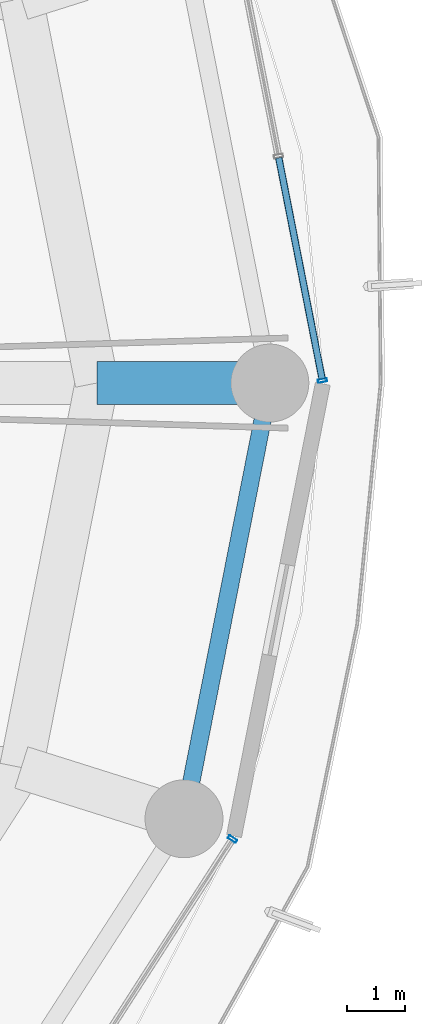
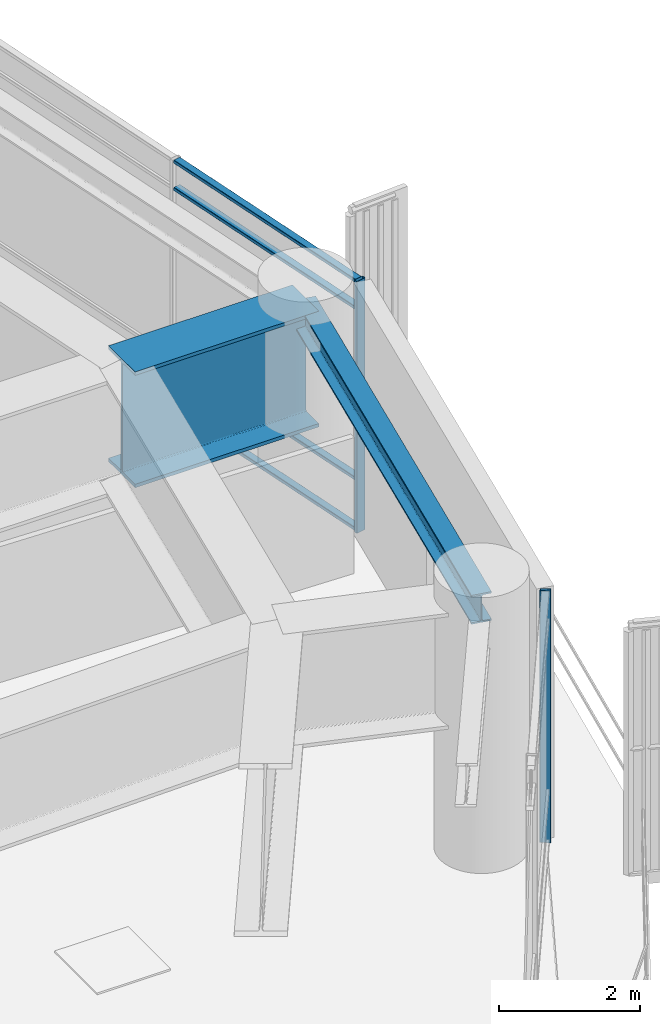
# One storey, part 14 of 34: 6 members, 2 beams, 2 elements without a shape of their own.
"""IFC4 building model written with IfcOpenShell, lengths in metres."""

from ifc_helpers import new_model, si_unit, direction, frame, origin, origin_2d, place, context, subcontext, project, spatial, hollow_rectangle, i_section, extrude, material, layer, layer_set, material_profile, profile_set, type_object, element, aggregate, save


model = new_model("IFC4")

# Units and contexts
model_context = context("Model", 3, precision=1e-05, world=origin(), true_north=direction((0.0, 1.0)))
body_context = subcontext(model_context, "Body", "Model", "MODEL_VIEW")
ifc_project = project(units=[si_unit("LENGTHUNIT", "METRE"), si_unit("AREAUNIT", "SQUARE_METRE"), si_unit("VOLUMEUNIT", "CUBIC_METRE"), si_unit("PLANEANGLEUNIT", "RADIAN"), si_unit("MASSUNIT", "GRAM", prefix="KILO")], contexts=[model_context])

# Site, building, storey
site_placement = place(None, origin())
site = spatial("IfcSite", under=ifc_project, at=site_placement, CompositionType="ELEMENT")
building_placement = place(site_placement, origin())
building = spatial("IfcBuilding", under=site, at=building_placement, Name="Kelanora Arch Commons", CompositionType="ELEMENT")
storey_placement = place(building_placement, frame((0.0, 0.0, 125.10009765625)))
storey = spatial("IfcBuildingStorey", under=building, at=storey_placement, Name="L32", CompositionType="ELEMENT", Elevation=125.10009765625)

# Beams
ifc_material_1 = material(Name="Steel S355", Category="steel")
ifc_material_profile_1 = material_profile(ifc_material_1, i_section(OverallWidth=0.300048828125, OverallDepth=0.5, WebThickness=0.014404296875, FlangeThickness=0.028076171875, FilletRadius=0.027099609375, at=origin_2d()), Name="HEB500")
ifc_profile_set_1 = profile_set([ifc_material_profile_1], Name="Steel S355")
beam_type_1 = type_object("IfcBeamType", Name="BM-SPN-Z2", PredefinedType="SPANDREL", material=ifc_profile_set_1)
beam_1_placement = place(storey_placement, frame((97.191650390625, 50.4482421875, 4.10986328125), z_axis=(0.19335825777, 0.981128220037, 0.0), x_axis=(-0.981128220037, 0.19335825777, 0.0)))
element("IfcBeam", 1, at=beam_1_placement, inside=storey, type_object=beam_type_1, Name="Perimeter Spandrel Beam BS-34 L32", PredefinedType="SPANDREL", context=body_context, shape_type="SweptSolid", body=[
    extrude(i_section(OverallWidth=0.300048828125, OverallDepth=0.5, WebThickness=0.014404296875, FlangeThickness=0.028076171875, FilletRadius=0.027099609375, at=origin_2d()), origin(), (0.0, 0.0, 1.0), 7.697021484375),
])
ifc_material_profile_2 = material_profile(ifc_material_1, i_section(OverallWidth=0.75, OverallDepth=2.0, WebThickness=0.034912109375, FlangeThickness=0.06005859375, FilletRadius=0.028076171875, at=origin_2d()), Name="PG2000x750")
ifc_profile_set_2 = profile_set([ifc_material_profile_2], Name="Steel S355")
beam_type_2 = type_object("IfcBeamType", Name="BM-XFER-SET", PredefinedType="USERDEFINED", material=ifc_profile_set_2)
beam_2_placement = place(storey_placement, frame((95.679931640625, 58.0, 3.35986328125), z_axis=(1.0, 0.0, 0.0), x_axis=(0.0, 1.0, 0.0)))
element("IfcBeam", 2, at=beam_2_placement, inside=storey, type_object=beam_type_2, Name="Radial Floor Girder BR-00 L32", ObjectType="TRANSFER_GIRDER", PredefinedType="USERDEFINED", context=body_context, shape_type="SweptSolid", body=[
    extrude(i_section(OverallWidth=0.75, OverallDepth=2.0, WebThickness=0.034912109375, FlangeThickness=0.06005859375, FilletRadius=0.028076171875, at=origin_2d()), origin(), (0.0, 0.0, 1.0), 3.0),
])

# Curtain wall, member
ifc_material_2 = material(Name="Terracotta ceramic-fritted low-E glass and aluminium", Category="masonry")
ifc_layer = layer(ifc_material_2, 0.159912109375)
ifc_layer_set = layer_set([ifc_layer], Name="Terracotta ceramic-fritted low-E glass and aluminium")
curtain_wall_type = type_object("IfcCurtainWallType", Name="CW-SYS-01", PredefinedType="NOTDEFINED", material=ifc_layer_set)
curtain_wall_1_placement = place(storey_placement, origin())
curtain_wall_1 = element("IfcCurtainWall", 3, at=curtain_wall_1_placement, inside=storey, type_object=curtain_wall_type, Name="Unitised Curtain Wall L32-B00", PredefinedType="NOTDEFINED")
ifc_material_3 = material(Name="Powder-coated aluminium terracotta", Category="masonry")
ifc_material_profile_3 = material_profile(ifc_material_3, hollow_rectangle(XDim=0.159912109375, YDim=0.06005859375, WallThickness=0.0048828125, InnerFilletRadius=0.0048828125, OuterFilletRadius=0.010009765625, at=origin_2d()), Name="CWM160x60")
ifc_profile_set_3 = profile_set([ifc_material_profile_3], Name="Powder-coated aluminium terracotta")
member_type_1 = type_object("IfcMemberType", Name="CWM-STD", PredefinedType="MULLION", material=ifc_profile_set_3)
member_1_placement = place(storey_placement, frame((99.59130859375, 58.044189453125, 0.0), z_axis=(0.0, 0.0, 1.0), x_axis=(-0.981280311646, -0.192584916272, 0.0)))
member_1 = element("IfcMember", 4, at=member_1_placement, type_object=member_type_1, Name="CW-01 mullion 1", PredefinedType="MULLION", context=body_context, shape_type="SweptSolid", body=[
    extrude(hollow_rectangle(XDim=0.159912109375, YDim=0.06005859375, WallThickness=0.0048828125, InnerFilletRadius=0.0048828125, OuterFilletRadius=0.010009765625, at=origin_2d()), origin(), (0.0, 0.0, 1.0), 4.344970703125),
])

curtain_wall_2_placement = place(storey_placement, origin())
curtain_wall_2 = element("IfcCurtainWall", 5, at=curtain_wall_2_placement, inside=storey, type_object=curtain_wall_type, Name="Unitised Curtain Wall L32-B16", PredefinedType="NOTDEFINED")
member_2_placement = place(storey_placement, frame((98.03173828125, 50.095703125, 0.0), z_axis=(0.0, 0.0, 1.0), x_axis=(-0.841268883088, 0.540616931244, 0.0)))
member_2 = element("IfcMember", 6, at=member_2_placement, type_object=member_type_1, Name="CW-01 mullion 3", PredefinedType="MULLION", context=body_context, shape_type="SweptSolid", body=[
    extrude(hollow_rectangle(XDim=0.159912109375, YDim=0.06005859375, WallThickness=0.0048828125, InnerFilletRadius=0.0048828125, OuterFilletRadius=0.010009765625, at=origin_2d()), origin(), (0.0, 0.0, 1.0), 4.344970703125),
])
aggregate(curtain_wall_2, [member_2])

# Member
ifc_material_profile_4 = material_profile(ifc_material_3, hollow_rectangle(XDim=0.1201171875, YDim=0.06005859375, WallThickness=0.0048828125, InnerFilletRadius=0.0048828125, OuterFilletRadius=0.010009765625, at=origin_2d()), Name="CWT120x60")
ifc_profile_set_4 = profile_set([ifc_material_profile_4], Name="Powder-coated aluminium terracotta")
member_type_2 = type_object("IfcMemberType", Name="CWT-STD", PredefinedType="USERDEFINED", material=ifc_profile_set_4)
member_3_placement = place(storey_placement, frame((99.58544921875, 58.073486328125, 0.02978515625), z_axis=(-0.192578614785, 0.981281548348, 0.0), x_axis=(-0.981281548348, -0.192578614785, 0.0)))
member_3 = element("IfcMember", 7, at=member_3_placement, type_object=member_type_2, Name="CW-01 transom 1.1", ObjectType="TRANSOM", PredefinedType="USERDEFINED", context=body_context, shape_type="SweptSolid", body=[
    extrude(hollow_rectangle(XDim=0.1201171875, YDim=0.06005859375, WallThickness=0.0048828125, InnerFilletRadius=0.0048828125, OuterFilletRadius=0.010009765625, at=origin_2d()), origin(), (0.0, 0.0, 1.0), 3.9033203125),
])

member_4_placement = place(storey_placement, frame((99.58544921875, 58.073486328125, 0.89990234375), z_axis=(-0.192578614785, 0.981281548348, 0.0), x_axis=(-0.981281548348, -0.192578614785, 0.0)))
member_4 = element("IfcMember", 8, at=member_4_placement, type_object=member_type_2, Name="CW-01 transom 1.2", ObjectType="TRANSOM", PredefinedType="USERDEFINED", context=body_context, shape_type="SweptSolid", body=[
    extrude(hollow_rectangle(XDim=0.1201171875, YDim=0.06005859375, WallThickness=0.0048828125, InnerFilletRadius=0.0048828125, OuterFilletRadius=0.010009765625, at=origin_2d()), origin(), (0.0, 0.0, 1.0), 3.9033203125),
])

member_5_placement = place(storey_placement, frame((99.58544921875, 58.073486328125, 3.844970703125), z_axis=(-0.192578614785, 0.981281548348, 0.0), x_axis=(-0.981281548348, -0.192578614785, 0.0)))
member_5 = element("IfcMember", 9, at=member_5_placement, type_object=member_type_2, Name="CW-01 transom 1.3", ObjectType="TRANSOM", PredefinedType="USERDEFINED", context=body_context, shape_type="SweptSolid", body=[
    extrude(hollow_rectangle(XDim=0.1201171875, YDim=0.06005859375, WallThickness=0.0048828125, InnerFilletRadius=0.0048828125, OuterFilletRadius=0.010009765625, at=origin_2d()), origin(), (0.0, 0.0, 1.0), 3.9033203125),
])

member_6_placement = place(storey_placement, frame((99.58544921875, 58.073486328125, 4.31494140625), z_axis=(-0.192578614785, 0.981281548348, 0.0), x_axis=(-0.981281548348, -0.192578614785, 0.0)))
member_6 = element("IfcMember", 10, at=member_6_placement, type_object=member_type_2, Name="CW-01 transom 1.4", ObjectType="TRANSOM", PredefinedType="USERDEFINED", context=body_context, shape_type="SweptSolid", body=[
    extrude(hollow_rectangle(XDim=0.1201171875, YDim=0.06005859375, WallThickness=0.0048828125, InnerFilletRadius=0.0048828125, OuterFilletRadius=0.010009765625, at=origin_2d()), origin(), (0.0, 0.0, 1.0), 3.9033203125),
])

aggregate(curtain_wall_1, [member_1, member_3, member_4, member_5, member_6])

save(model, "model.ifc")
